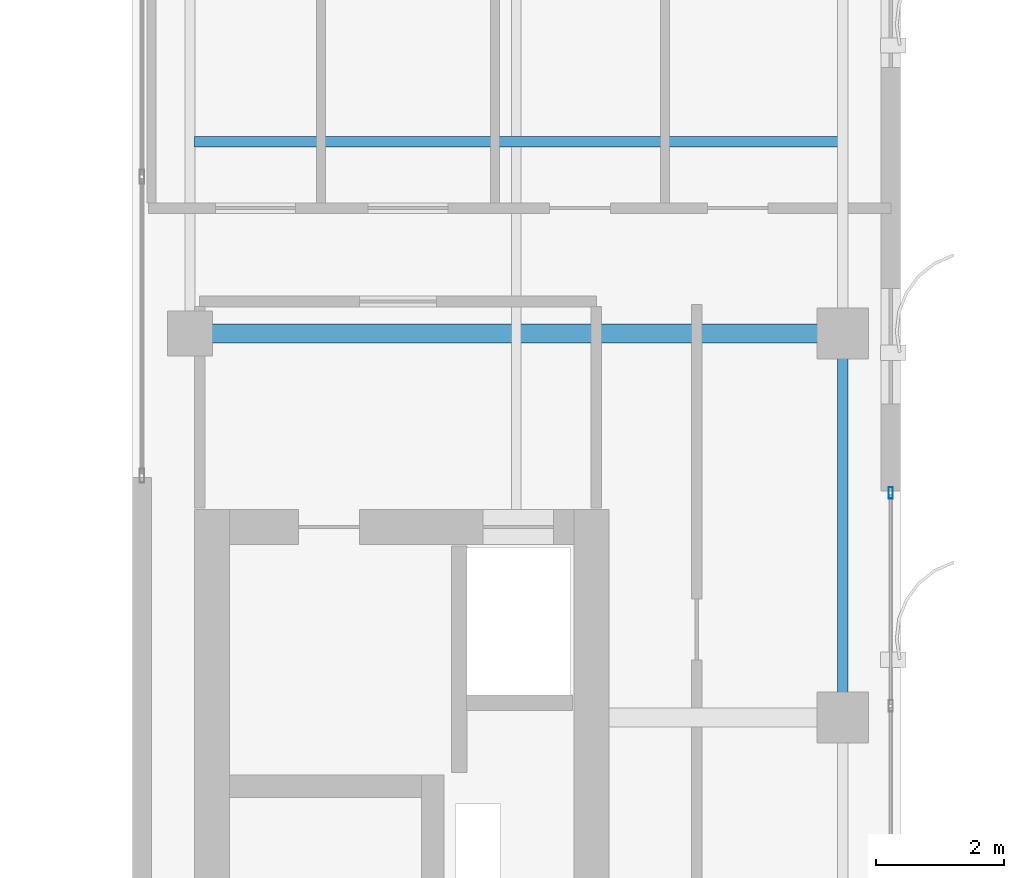
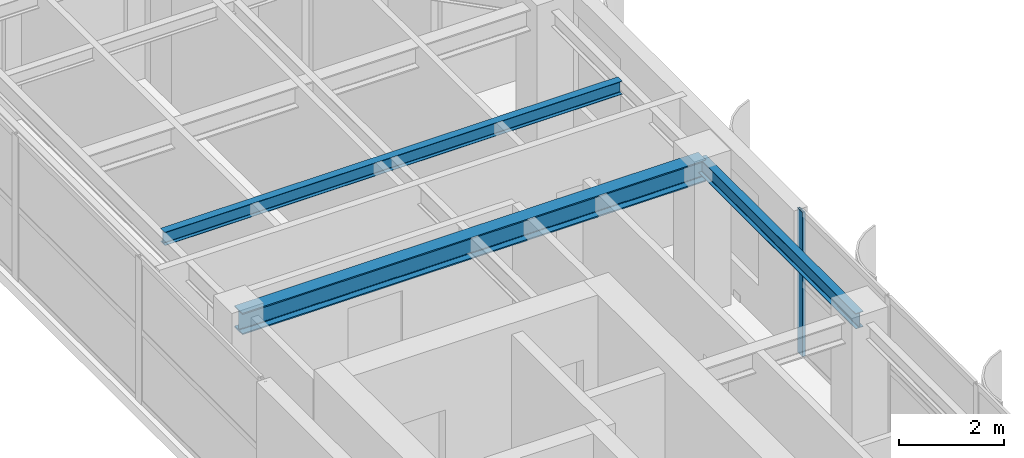
# One storey, part 12 of 23: 3 beams, 1 member, 1 element without a shape of its own.
"""IFC4 building model written with IfcOpenShell, lengths in metres."""

from ifc_helpers import new_model, si_unit, direction, frame, origin, origin_2d, place, context, subcontext, project, spatial, hollow_rectangle, i_section, extrude, source, transform, mapped, material, layer, layer_set, material_profile, profile_set, type_object, element, aggregate, save


model = new_model("IFC4")

# Units and contexts
model_context = context("Model", 3, precision=1e-05, world=origin(), true_north=direction((0.0, 1.0)))
body_context = subcontext(model_context, "Body", "Model", "MODEL_VIEW")
ifc_project = project(units=[si_unit("LENGTHUNIT", "METRE"), si_unit("AREAUNIT", "SQUARE_METRE"), si_unit("VOLUMEUNIT", "CUBIC_METRE"), si_unit("PLANEANGLEUNIT", "RADIAN"), si_unit("MASSUNIT", "GRAM", prefix="KILO")], contexts=[model_context])

# Site, building, storey
site_placement = place(None, origin())
site = spatial("IfcSite", under=ifc_project, at=site_placement, CompositionType="ELEMENT")
building_placement = place(site_placement, origin())
building = spatial("IfcBuilding", under=site, at=building_placement, Name="Khoralis Quay Care Tower", CompositionType="ELEMENT")
storey_placement = place(building_placement, frame((0.0, 0.0, 245.699951171875)))
storey = spatial("IfcBuildingStorey", under=building, at=storey_placement, Name="L64", CompositionType="ELEMENT", Elevation=245.699951171875)

# Beams
ifc_material_1 = material(Name="Steel S355", Category="steel")
ifc_material_profile_1 = material_profile(ifc_material_1, i_section(OverallWidth=0.169921875, OverallDepth=0.360107421875, WebThickness=0.008056640625, FlangeThickness=0.0126953125, FilletRadius=0.01806640625, at=origin_2d()), Name="Steel S355")
ifc_profile_set_1 = profile_set([ifc_material_profile_1], Name="Steel S355")
beam_type_1 = type_object("IfcBeamType", Name="BM-IPE360", PredefinedType="SPANDREL", material=ifc_profile_set_1)
shared_shape_1 = source(origin(), body_context, "Body", "SweptSolid", [
    extrude(i_section(OverallWidth=0.169921875, OverallDepth=0.360107421875, WebThickness=0.008056640625, FlangeThickness=0.0126953125, FilletRadius=0.01806640625, at=origin_2d()), origin(), (0.0, 0.0, 1.0), 6.0),
])
beam_1_placement = place(storey_placement, frame((41.10009765625, 24.0, 3.179931640625), z_axis=(0.0, 1.0, 0.0), x_axis=(-1.0, 0.0, 0.0)))
element("IfcBeam", 1, at=beam_1_placement, inside=storey, type_object=beam_type_1, Name="BM-TSP-L64-11", PredefinedType="SPANDREL", context=body_context, shape_type="MappedRepresentation", body=[
    mapped(shared_shape_1, transform((0.0, 0.0, 0.0), scale=1.0)),
])
ifc_material_profile_2 = material_profile(ifc_material_1, i_section(OverallWidth=0.300048828125, OverallDepth=0.5, WebThickness=0.014404296875, FlangeThickness=0.028076171875, FilletRadius=0.027099609375, at=origin_2d()), Name="Steel S355")
ifc_profile_set_2 = profile_set([ifc_material_profile_2], Name="Steel S355")
beam_type_2 = type_object("IfcBeamType", Name="BM-HEB500", PredefinedType="BEAM", material=ifc_profile_set_2)
shared_shape_2 = source(origin(), body_context, "Body", "SweptSolid", [
    extrude(i_section(OverallWidth=0.300048828125, OverallDepth=0.5, WebThickness=0.014404296875, FlangeThickness=0.028076171875, FilletRadius=0.027099609375, at=origin_2d()), origin(), (0.0, 0.0, 1.0), 10.2001953125),
])
beam_2_placement = place(storey_placement, frame((30.89990234375, 30.0, 3.110107421875), z_axis=(1.0, 0.0, 0.0), x_axis=(0.0, 1.0, 0.0)))
element("IfcBeam", 2, at=beam_2_placement, inside=storey, type_object=beam_type_2, Name="BM-TGXE-L64-300", PredefinedType="BEAM", context=body_context, shape_type="MappedRepresentation", body=[
    mapped(shared_shape_2, transform((0.0, 0.0, 0.0), scale=1.0)),
])
ifc_material_profile_3 = material_profile(ifc_material_1, i_section(OverallWidth=0.1650390625, OverallDepth=0.31005859375, WebThickness=0.005859375, FlangeThickness=0.009765625, FilletRadius=0.011962890625, at=origin_2d()), Name="Steel S355")
ifc_profile_set_3 = profile_set([ifc_material_profile_3], Name="Steel S355")
beam_type_3 = type_object("IfcBeamType", Name="BM-W310X39", PredefinedType="JOIST", material=ifc_profile_set_3)
shared_shape_3 = source(origin(), body_context, "Body", "SweptSolid", [
    extrude(i_section(OverallWidth=0.1650390625, OverallDepth=0.31005859375, WebThickness=0.005859375, FlangeThickness=0.009765625, FilletRadius=0.011962890625, at=origin_2d()), origin(), (0.0, 0.0, 1.0), 10.06396484375),
])
beam_3_placement = place(storey_placement, frame((30.965087890625, 33.0, 3.205078125), z_axis=(1.0, 0.0, 0.0), x_axis=(0.0, 1.0, 0.0)))
element("IfcBeam", 3, at=beam_3_placement, inside=storey, type_object=beam_type_3, Name="BM-TJS-L64-20", PredefinedType="JOIST", context=body_context, shape_type="MappedRepresentation", body=[
    mapped(shared_shape_3, transform((0.0, 0.0, 0.0), scale=1.0)),
])

# Curtain wall, member
ifc_material_2 = material(Name="Pale anodised aluminium", Category="aluminium")
ifc_layer = layer(ifc_material_2, 0.159912109375)
ifc_layer_set = layer_set([ifc_layer], Name="Pale anodised aluminium")
curtain_wall_type = type_object("IfcCurtainWallType", Name="CW-SYS-Z3", PredefinedType="NOTDEFINED", material=ifc_layer_set)
curtain_wall_placement = place(storey_placement, origin())
curtain_wall = element("IfcCurtainWall", 4, at=curtain_wall_placement, inside=storey, type_object=curtain_wall_type, Name="L64 Unitised Curtain Wall CW-L64-P2-E5", PredefinedType="NOTDEFINED")
ifc_material_profile_4 = material_profile(ifc_material_2, hollow_rectangle(XDim=0.06494140625, YDim=0.179931640625, WallThickness=0.00390625, at=origin_2d()), Name="Pale anodised aluminium")
ifc_profile_set_4 = profile_set([ifc_material_profile_4], Name="Pale anodised aluminium")
member_type = type_object("IfcMemberType", Name="CW-MUL-180", PredefinedType="MULLION", material=ifc_profile_set_4)
shared_shape_4 = source(origin(), body_context, "Body", "SweptSolid", [
    extrude(hollow_rectangle(XDim=0.06494140625, YDim=0.179931640625, WallThickness=0.00390625, at=origin_2d()), origin(), (0.0, 0.0, 1.0), 3.360107421875),
])
member_placement = place(storey_placement, frame((41.85009765625, 27.510009765625, 0.0), z_axis=(0.0, 0.0, 1.0), x_axis=(-1.0, 0.0, 0.0)))
member = element("IfcMember", 5, at=member_placement, type_object=member_type, Name="CW3 mullion 4", PredefinedType="MULLION", context=body_context, shape_type="MappedRepresentation", body=[
    mapped(shared_shape_4, transform((0.0, 0.0, 0.0), scale=1.0)),
])
aggregate(curtain_wall, [member])

save(model, "model.ifc")
